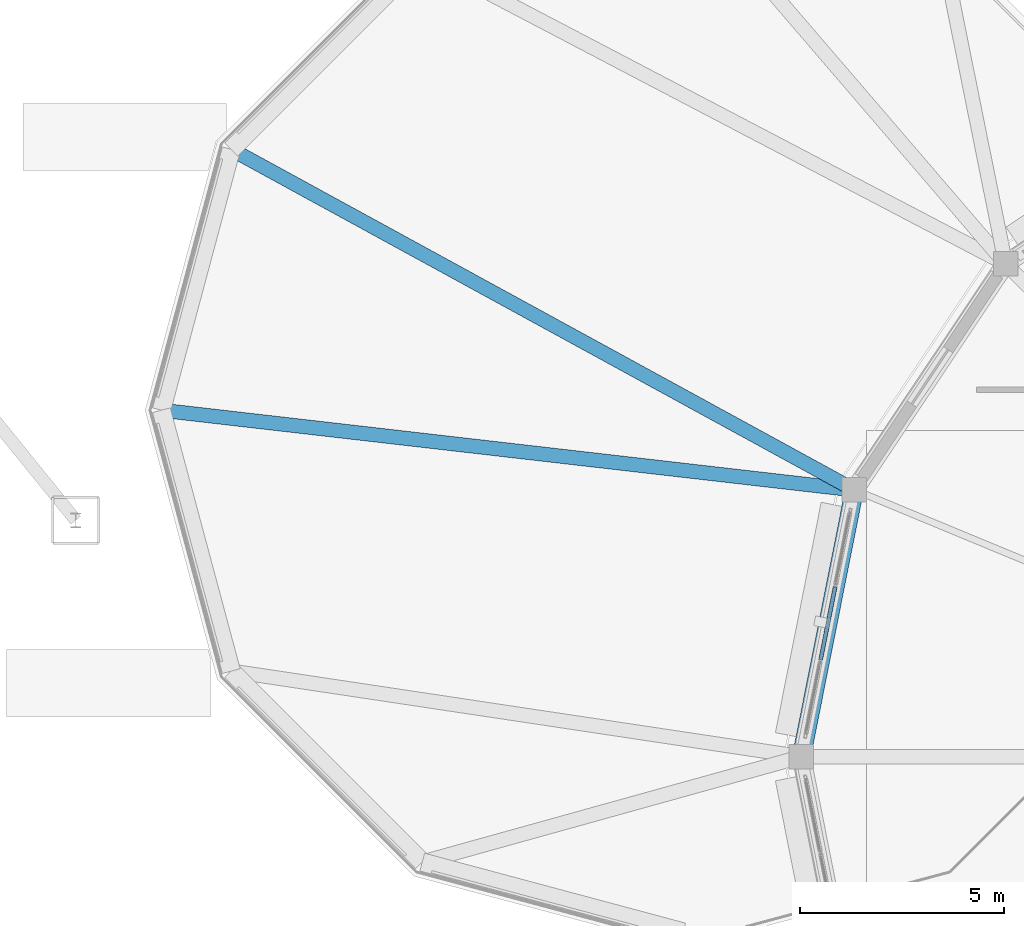
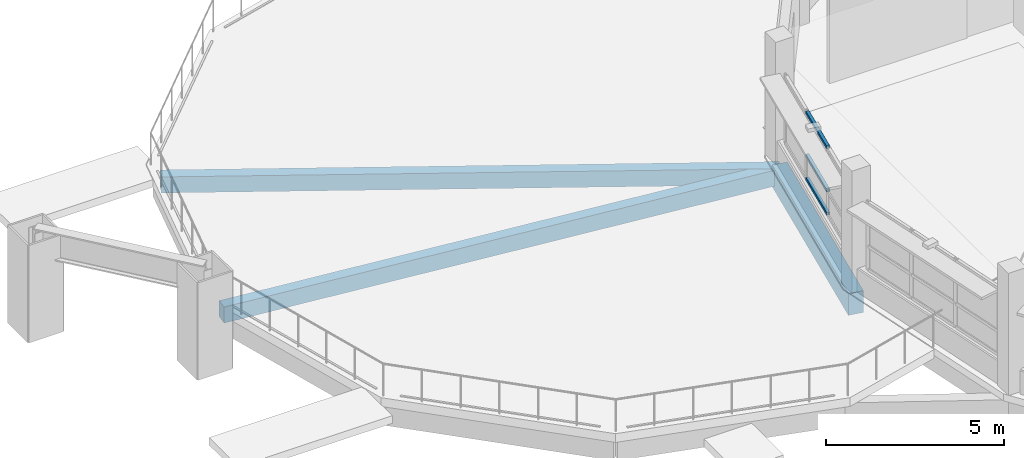
# One storey, part 40 of 128: 3 beams, 3 members, 1 element without a shape of its own.
"""IFC4 building model written with IfcOpenShell, lengths in metres."""

import ifcopenshell
import ifcopenshell.guid

model = None  # the IFC model being written
_history = None  # IfcOwnerHistory: only IFC2X3 demands one
_inside = {}  # id of a spatial element -> (the spatial element, [elements in it])
_under = {}  # id of a project, library or spatial element -> (it, [spatial elements below it])
_declared = {}  # id of a project -> (the project, [libraries it declares])
_typed = {}  # id of a type object -> (the type object, [elements of that type])
_made_of = {}  # id of a material, layer set ... -> (it, [elements and type objects made of it])


def new_model(schema):
    """Start an empty IFC model of exactly this schema.

    Asked for "IFC4X3", IfcOpenShell would pick the latest addendum, in which some entities
    have other attributes; the version numbers below select the first issue.
    IFC2X3 requires an IfcOwnerHistory on every rooted entity: one is made here for all.
    """
    global model, _history
    if schema == "IFC4X3":
        model = ifcopenshell.file(schema_version=(4, 3, 0, 0))
    else:
        model = ifcopenshell.file(schema=schema)
    _inside.clear()
    _under.clear()
    _declared.clear()
    _typed.clear()
    _made_of.clear()
    _history = None
    if model.schema == "IFC2X3":
        org = make("IfcOrganization", Name="unknown")
        user = make(
            "IfcPersonAndOrganization",
            ThePerson=make("IfcPerson", FamilyName="unknown"),
            TheOrganization=org,
        )
        app = make(
            "IfcApplication",
            ApplicationDeveloper=org,
            Version="unknown",
            ApplicationFullName="unknown",
            ApplicationIdentifier="unknown",
        )
        _history = make(
            "IfcOwnerHistory",
            OwningUser=user,
            OwningApplication=app,
            ChangeAction="ADDED",
            CreationDate=0,
        )
    return model


def make(cls, **values):
    """One entity of the class cls with the attributes given. An attribute that is None is left unset."""
    return model.create_entity(
        cls, **{name: value for name, value in values.items() if value is not None}
    )


def rooted(cls, **values):
    """An entity with a GlobalId (a new one), such as an element, a storey or a relation."""
    return make(cls, GlobalId=ifcopenshell.guid.new(), OwnerHistory=_history, **values)


def si_unit(unit_type, name, prefix=None):
    """IfcSIUnit, for example si_unit("LENGTHUNIT", "METRE", prefix="MILLI")."""
    return make("IfcSIUnit", UnitType=unit_type, Prefix=prefix, Name=name)


def assignment(units):
    """IfcUnitAssignment: the units of a project."""
    return None if units is None else make("IfcUnitAssignment", Units=units)


def point(xyz):
    """IfcCartesianPoint."""
    return None if xyz is None else make("IfcCartesianPoint", Coordinates=xyz)


def direction(xyz):
    """IfcDirection."""
    return None if xyz is None else make("IfcDirection", DirectionRatios=xyz)


def frame(location, z_axis=None, x_axis=None):
    """IfcAxis2Placement3D, a coordinate frame: its origin and axes. An axis left out is left unset."""
    return make(
        "IfcAxis2Placement3D",
        Location=point(location),
        Axis=direction(z_axis),
        RefDirection=direction(x_axis),
    )


def frame_2d(location, x_axis=None):
    """IfcAxis2Placement2D, a coordinate frame in the plane: its origin and x axis."""
    return make(
        "IfcAxis2Placement2D", Location=point(location), RefDirection=direction(x_axis)
    )


def origin():
    """The frame at (0, 0, 0) with its axes left unset."""
    return frame((0.0, 0.0, 0.0))


def origin_2d():
    """The frame at (0, 0) in the plane with its x axis left unset."""
    return frame_2d((0.0, 0.0))


def place(relative_to, where):
    """IfcLocalPlacement: puts the frame where relative to a parent placement (None: the world)."""
    return make(
        "IfcLocalPlacement", PlacementRelTo=relative_to, RelativePlacement=where
    )


def context(
    kind, dimensions, precision=None, world=None, true_north=None, identifier=None
):
    """IfcGeometricRepresentationContext, for example the 3D "Model" context."""
    return make(
        "IfcGeometricRepresentationContext",
        ContextIdentifier=identifier,
        ContextType=kind,
        CoordinateSpaceDimension=dimensions,
        Precision=precision,
        WorldCoordinateSystem=world,
        TrueNorth=true_north,
    )


def subcontext(parent, identifier, kind, view, scale=None):
    """IfcGeometricRepresentationSubContext, for example "Body" below "Model"."""
    return make(
        "IfcGeometricRepresentationSubContext",
        ContextIdentifier=identifier,
        ContextType=kind,
        ParentContext=parent,
        TargetScale=scale,
        TargetView=view,
    )


def project(units=None, contexts=None):
    """IfcProject with its units and contexts."""
    return rooted(
        "IfcProject",
        Name="project",
        RepresentationContexts=contexts,
        UnitsInContext=assignment(units),
    )


def spatial(cls, under=None, at=None, **own):
    """A site, building, storey or space (cls), placed at a placement, below another one or the project."""
    s = rooted(cls, ObjectPlacement=at, **own)
    if under is not None:
        _under.setdefault(under.id(), (under, []))[1].append(s)
    return s


def profile(cls, at=None, kind="AREA", **sizes):
    """A parametric profile (cls). Its sizes go by their IFC names, for example OverallWidth=200.0."""
    return make(cls, ProfileType=kind, Position=at, **sizes)


def rectangle(**sizes):
    """IfcRectangleProfileDef."""
    return profile("IfcRectangleProfileDef", **sizes)


def hollow_rectangle(**sizes):
    """IfcRectangleHollowProfileDef."""
    return profile("IfcRectangleHollowProfileDef", **sizes)


def extrude(swept, where, along, depth):
    """IfcExtrudedAreaSolid: the profile swept, set in the frame where, extruded along a direction by depth."""
    return make(
        "IfcExtrudedAreaSolid",
        SweptArea=swept,
        Position=where,
        ExtrudedDirection=direction(along),
        Depth=depth,
    )


def shape(context_of_items, identifier, shape_type, items):
    """IfcShapeRepresentation: the items that make up one representation, for example the "Body"."""
    return make(
        "IfcShapeRepresentation",
        ContextOfItems=context_of_items,
        RepresentationIdentifier=identifier,
        RepresentationType=shape_type,
        Items=items,
    )


def material(Name=None, Category=None):
    """IfcMaterial."""
    return make("IfcMaterial", Name=Name, Category=Category)


def layer(
    of_material, thickness, ventilated=None, Name=None, Category=None, Priority=None
):
    """IfcMaterialLayer: one layer of a wall or slab, of a material (None: an air gap)."""
    return make(
        "IfcMaterialLayer",
        Material=of_material,
        LayerThickness=thickness,
        IsVentilated=ventilated,
        Name=Name,
        Category=Category,
        Priority=Priority,
    )


def layer_set(layers, Name=None):
    """IfcMaterialLayerSet."""
    return make("IfcMaterialLayerSet", MaterialLayers=layers, LayerSetName=Name)


def material_profile(
    of_material, cross_section, Name=None, Category=None, Priority=None
):
    """IfcMaterialProfile: a cross section and its material."""
    return make(
        "IfcMaterialProfile",
        Name=Name,
        Material=of_material,
        Profile=cross_section,
        Priority=Priority,
        Category=Category,
    )


def profile_set(profiles, Name=None, composite=None):
    """IfcMaterialProfileSet."""
    return make(
        "IfcMaterialProfileSet",
        Name=Name,
        MaterialProfiles=profiles,
        CompositeProfile=composite,
    )


def made_of(thing, what):
    """Note that an element or type object is made of a material, layer set ...; save() writes the relation."""
    if what is not None:
        _made_of.setdefault(what.id(), (what, []))[1].append(thing)
    return thing


def type_object(cls, material=None, **own):
    """A type object (cls), such as IfcWallType, which elements share."""
    return made_of(rooted(cls, **own), material)


def element(
    cls,
    number,
    at=None,
    inside=None,
    cuts=None,
    type_object=None,
    material=None,
    context=None,
    identifier="Body",
    shape_type=None,
    held_by="IfcProductDefinitionShape",
    body=None,
    shapes=None,
    **own,
):
    """One element of the class cls, such as IfcWall. Its Tag is "e" and its number.

    at: its placement. inside: the storey or other place that contains it. cuts: it is an
    opening in that element (IfcRelVoidsElement). A single representation is given by context,
    identifier, shape_type and body (its items); several are given by shapes. held_by: the class
    of the entity that holds the representations. save() writes the other relations.
    """
    e = rooted(cls, Tag="e%d" % number, ObjectPlacement=at, **own)
    if body is not None:
        shapes = [shape(context, identifier, shape_type, body)]
    if shapes is not None:
        e.Representation = make(held_by, Representations=shapes)
    if inside is not None:
        _inside.setdefault(inside.id(), (inside, []))[1].append(e)
    if cuts is not None:
        rooted(
            "IfcRelVoidsElement", RelatingBuildingElement=cuts, RelatedOpeningElement=e
        )
    if type_object is not None:
        _typed.setdefault(type_object.id(), (type_object, []))[1].append(e)
    return made_of(e, material)


def aggregate(whole, parts):
    """IfcRelAggregates: a whole, such as a stair, and the parts it consists of."""
    return rooted("IfcRelAggregates", RelatingObject=whole, RelatedObjects=parts)


def save(model, path):
    """Write the relations noted so far, then the file.

    IfcRelAggregates (storeys below a building ...), IfcRelContainedInSpatialStructure (elements
    in a storey), IfcRelDefinesByType, IfcRelAssociatesMaterial and IfcRelDeclares: one each for
    every whole, place, type object, material and project.
    """
    for whole, parts in _under.values():
        aggregate(whole, parts)
    for where, things in _inside.values():
        rooted(
            "IfcRelContainedInSpatialStructure",
            RelatedElements=things,
            RelatingStructure=where,
        )
    for kind, things in _typed.values():
        rooted("IfcRelDefinesByType", RelatedObjects=things, RelatingType=kind)
    for what, things in _made_of.values():
        rooted("IfcRelAssociatesMaterial", RelatedObjects=things, RelatingMaterial=what)
    for by, libraries in _declared.values():
        rooted("IfcRelDeclares", RelatingContext=by, RelatedDefinitions=libraries)
    model.write(path)


model = new_model("IFC4")

# Units and contexts
model_context = context("Model", 3, precision=1e-05, world=origin(), true_north=direction((0.0, 1.0)))
body_context = subcontext(model_context, "Body", "Model", "MODEL_VIEW")
ifc_project = project(units=[si_unit("LENGTHUNIT", "METRE"), si_unit("AREAUNIT", "SQUARE_METRE"), si_unit("VOLUMEUNIT", "CUBIC_METRE"), si_unit("PLANEANGLEUNIT", "RADIAN"), si_unit("MASSUNIT", "GRAM", prefix="KILO")], contexts=[model_context])

# Site, building, storey
site_placement = place(None, origin())
site = spatial("IfcSite", under=ifc_project, at=site_placement, CompositionType="ELEMENT")
building_placement = place(site_placement, origin())
building = spatial("IfcBuilding", under=site, at=building_placement, Name="Vespera Passage Community Centre", CompositionType="ELEMENT")
storey_placement = place(building_placement, frame((0.0, 0.0, 4.5)))
storey = spatial("IfcBuildingStorey", under=building, at=storey_placement, Name="L01", CompositionType="ELEMENT", Elevation=4.5)

# Beams
ifc_material_1 = material(Name="Concrete f'c 35 MPa", Category="concrete")
ifc_material_profile_1 = material_profile(ifc_material_1, rectangle(XDim=0.35009765625, YDim=0.550048828125, at=origin_2d()), Name="RC350X550")
ifc_profile_set_1 = profile_set([ifc_material_profile_1], Name="Concrete f'c 35 MPa")
beam_type_1 = type_object("IfcBeamType", Name="BM-J-350X550", PredefinedType="JOIST", material=ifc_profile_set_1)
beam_1_placement = place(storey_placement, frame((109.914794921875, 39.89990234375, -0.574951171875), z_axis=(0.877468922379, -0.479633495765, 0.0), x_axis=(0.479633495765, 0.877468922379, 0.0)))
element("IfcBeam", 1, at=beam_1_placement, inside=storey, type_object=beam_type_1, Name="V3A L01 Radial Tie Girder 4", PredefinedType="JOIST", context=body_context, shape_type="SweptSolid", body=[
    extrude(rectangle(XDim=0.35009765625, YDim=0.550048828125, at=origin_2d()), origin(), (0.0, 0.0, 1.0), 17.421630859375),
])
beam_2_placement = place(storey_placement, frame((108.199951171875, 33.5, -0.574951171875), z_axis=(0.993446680665, -0.114296512091, 0.0), x_axis=(0.114296512091, 0.993446680665, 0.0)))
element("IfcBeam", 2, at=beam_2_placement, inside=storey, type_object=beam_type_1, Name="V3A L01 Radial Tie Girder 5", PredefinedType="JOIST", context=body_context, shape_type="SweptSolid", body=[
    extrude(rectangle(XDim=0.35009765625, YDim=0.550048828125, at=origin_2d()), origin(), (0.0, 0.0, 1.0), 17.11376953125),
])
ifc_material_2 = material(Name="Concrete f'c 35 MPa", Category="concrete")
ifc_material_profile_2 = material_profile(ifc_material_2, rectangle(XDim=0.449951171875, YDim=0.75, at=origin_2d()), Name="RC450X750")
ifc_profile_set_2 = profile_set([ifc_material_profile_2], Name="Concrete f'c 35 MPa")
beam_type_2 = type_object("IfcBeamType", Name="BM-SP-450X750E", PredefinedType="SPANDREL", material=ifc_profile_set_2)
beam_3_placement = place(storey_placement, frame((125.20166015625, 31.5439453125, -0.614990234375), z_axis=(-0.195102743632, -0.980782809509, 0.0), x_axis=(0.980782809509, -0.195102743632, 0.0)))
element("IfcBeam", 3, at=beam_3_placement, inside=storey, type_object=beam_type_2, Name="V3 L01 Spandrel 8", PredefinedType="SPANDREL", context=body_context, shape_type="SweptSolid", body=[
    extrude(rectangle(XDim=0.449951171875, YDim=0.75, at=origin_2d()), origin(), (0.0, 0.0, 1.0), 6.672119140625),
])

# Curtain wall, members
ifc_material_3 = material(Name="Anodized aluminium 6063-T6", Category="aluminium")
ifc_layer = layer(ifc_material_3, 0.159912109375)
ifc_layer_set = layer_set([ifc_layer], Name="Anodized aluminium 6063-T6")
curtain_wall_type = type_object("IfcCurtainWallType", Name="CW-105E", PredefinedType="NOTDEFINED", material=ifc_layer_set)
curtain_wall_placement = place(storey_placement, origin())
curtain_wall = element("IfcCurtainWall", 4, at=curtain_wall_placement, inside=storey, type_object=curtain_wall_type, Name="Dining Drum Ribbon Curtain Wall L01.8", PredefinedType="NOTDEFINED")
ifc_material_4 = material(Name="Anodized aluminium 6063-T6", Category="aluminium")
ifc_material_profile_3 = material_profile(ifc_material_4, hollow_rectangle(XDim=0.10009765625, YDim=0.10009765625, WallThickness=0.00390625, InnerFilletRadius=0.001953125, OuterFilletRadius=0.00390625, at=origin_2d()), Name="ALU100X100X4")
ifc_profile_set_3 = profile_set([ifc_material_profile_3], Name="Anodized aluminium 6063-T6")
member_type = type_object("IfcMemberType", Name="MB-CWT-100E", PredefinedType="USERDEFINED", material=ifc_profile_set_3)
member_1_placement = place(storey_placement, frame((124.373046875, 27.378662109375, 0.85009765625), z_axis=(0.195136642714, 0.980776065507, 0.0), x_axis=(-0.980776065507, 0.195136642714, 0.0)))
member_1 = element("IfcMember", 5, at=member_1_placement, type_object=member_type, Name="CW-105E transom 2.1", ObjectType="TRANSOM", PredefinedType="USERDEFINED", context=body_context, shape_type="SweptSolid", body=[
    extrude(hollow_rectangle(XDim=0.10009765625, YDim=0.10009765625, WallThickness=0.00390625, InnerFilletRadius=0.001953125, OuterFilletRadius=0.00390625, at=origin_2d()), origin(), (0.0, 0.0, 1.0), 1.821533203125),
])
member_2_placement = place(storey_placement, frame((124.373046875, 27.378662109375, 1.64990234375), z_axis=(0.195136642714, 0.980776065507, 0.0), x_axis=(-0.980776065507, 0.195136642714, 0.0)))
member_2 = element("IfcMember", 6, at=member_2_placement, type_object=member_type, Name="CW-105E transom 2.2", ObjectType="TRANSOM", PredefinedType="USERDEFINED", context=body_context, shape_type="SweptSolid", body=[
    extrude(hollow_rectangle(XDim=0.10009765625, YDim=0.10009765625, WallThickness=0.00390625, InnerFilletRadius=0.001953125, OuterFilletRadius=0.00390625, at=origin_2d()), origin(), (0.0, 0.0, 1.0), 1.821533203125),
])
member_3_placement = place(storey_placement, frame((124.373046875, 27.378662109375, 3.125), z_axis=(0.195136642714, 0.980776065507, 0.0), x_axis=(-0.980776065507, 0.195136642714, 0.0)))
member_3 = element("IfcMember", 7, at=member_3_placement, type_object=member_type, Name="CW-105E transom 2.3", ObjectType="TRANSOM", PredefinedType="USERDEFINED", context=body_context, shape_type="SweptSolid", body=[
    extrude(hollow_rectangle(XDim=0.10009765625, YDim=0.10009765625, WallThickness=0.00390625, InnerFilletRadius=0.001953125, OuterFilletRadius=0.00390625, at=origin_2d()), origin(), (0.0, 0.0, 1.0), 1.821533203125),
])
aggregate(curtain_wall, [member_1, member_2, member_3])

save(model, "model.ifc")
